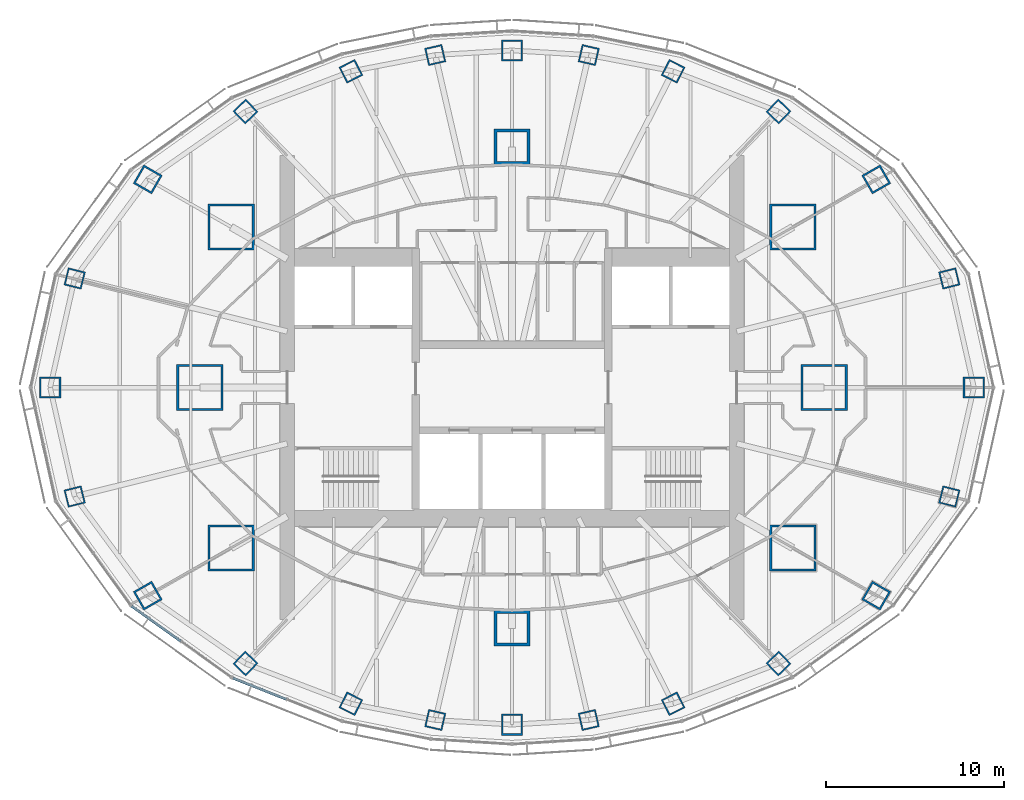
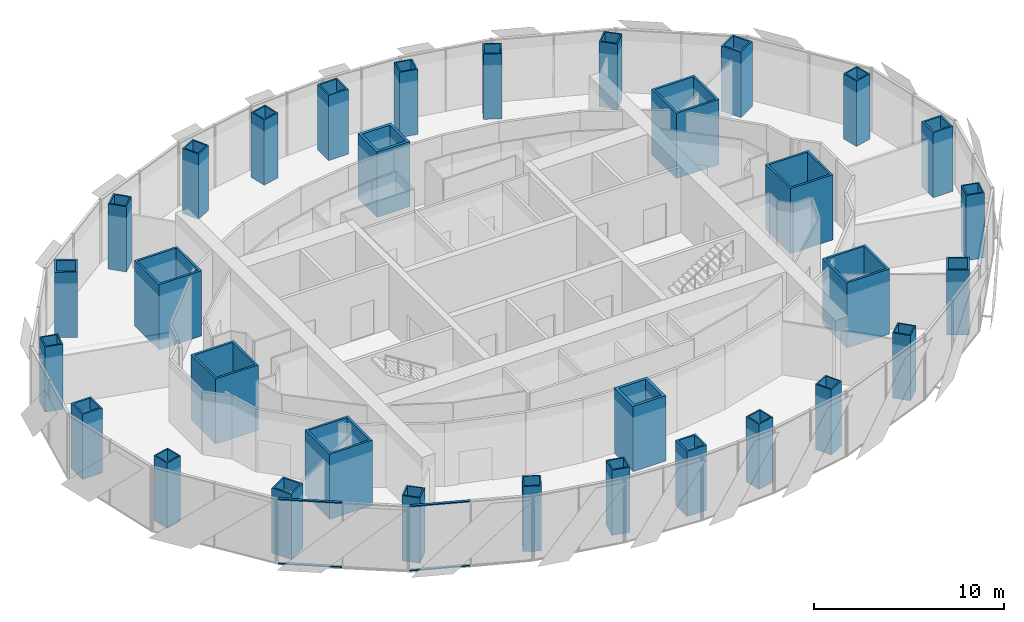
# One storey, part 1 of 17: 32 columns, 4 members, 2 elements without a shape of their own.
"""IFC4 building model written with IfcOpenShell, lengths in metres."""

from ifc_helpers import new_model, si_unit, direction, frame, origin, origin_2d, place, context, subcontext, project, spatial, rectangle, hollow_rectangle, extrude, material, material_profile, profile_set, type_object, element, aggregate, save


model = new_model("IFC4")

# Units and contexts
model_context = context("Model", 3, precision=1e-05, world=origin(), true_north=direction((0.0, 1.0)))
body_context = subcontext(model_context, "Body", "Model", "MODEL_VIEW")
ifc_project = project(units=[si_unit("LENGTHUNIT", "METRE"), si_unit("AREAUNIT", "SQUARE_METRE"), si_unit("VOLUMEUNIT", "CUBIC_METRE"), si_unit("PLANEANGLEUNIT", "RADIAN"), si_unit("MASSUNIT", "GRAM", prefix="KILO")], contexts=[model_context])

# Site, building, storey
site_placement = place(None, origin())
site = spatial("IfcSite", under=ifc_project, at=site_placement, CompositionType="ELEMENT")
building_placement = place(site_placement, origin())
building = spatial("IfcBuilding", under=site, at=building_placement, Name="Lantaw Convention Tower", CompositionType="ELEMENT")
storey_placement = place(building_placement, frame((0.0, 0.0, 211.60009765625)))
storey = spatial("IfcBuildingStorey", under=building, at=storey_placement, Name="L49", CompositionType="ELEMENT", Elevation=211.60009765625)

# Columns
ifc_material_1 = material(Name="Steel EN 10025-3 S460N", Category="steel")
ifc_material_profile_1 = material_profile(ifc_material_1, hollow_rectangle(XDim=2.0, YDim=2.0, WallThickness=0.169921875, at=origin_2d()), Name="BOX2000X170")
ifc_material_2 = material(Name="Concrete C60/75", Category="concrete")
ifc_material_profile_2 = material_profile(ifc_material_2, rectangle(XDim=1.659912109375, YDim=1.659912109375, at=origin_2d()), Name="Concrete fill of BOX2000X170")
ifc_profile_set_1 = profile_set([ifc_material_profile_1, ifc_material_profile_2], Name="Steel EN 10025-3 S460N")
column_type_1 = type_object("IfcColumnType", Name="Column MC BOX2000X170", PredefinedType="COLUMN", material=ifc_profile_set_1)
for number, where, z_axis, x_axis, name in (
    (1, (0.0, 13.5, 0.0), (0.0, 0.0, 1.0), (1.0, 0.0, 0.0), "Mega column M3"),
    (2, (0.0, -13.5, 0.0), (0.0, 0.0, 1.0), (1.0, 0.0, 0.0), "Mega column M7"),
):
    element("IfcColumn", number, at=place(storey_placement, frame(where, z_axis=z_axis, x_axis=x_axis)), inside=storey, type_object=column_type_1, Name=name, PredefinedType="COLUMN", context=body_context, shape_type="SweptSolid", body=[
        extrude(hollow_rectangle(XDim=2.0, YDim=2.0, WallThickness=0.169921875, at=origin_2d()), origin(), (0.0, 0.0, 1.0), 4.199951171875),
    ])
ifc_material_profile_3 = material_profile(ifc_material_1, hollow_rectangle(XDim=2.60009765625, YDim=2.60009765625, WallThickness=0.1298828125, at=origin_2d()), Name="BOX2600X130")
ifc_material_profile_4 = material_profile(ifc_material_2, rectangle(XDim=2.340087890625, YDim=2.340087890625, at=origin_2d()), Name="Concrete fill of BOX2600X130")
ifc_profile_set_2 = profile_set([ifc_material_profile_3, ifc_material_profile_4], Name="Steel EN 10025-3 S460N")
column_type_2 = type_object("IfcColumnType", Name="Column MC BOX2600X130", PredefinedType="COLUMN", material=ifc_profile_set_2)
for number, where, z_axis, x_axis, name in (
    (3, (17.5, 0.0, 0.0), (0.0, 0.0, 1.0), (1.0, 0.0, 0.0), "Mega column M1"),
    (4, (15.75, 9.0, 0.0), (0.0, 0.0, 1.0), (1.0, 0.0, 0.0), "Mega column M2"),
    (5, (-15.75, 9.0, 0.0), (0.0, 0.0, 1.0), (1.0, 0.0, 0.0), "Mega column M4"),
    (6, (-17.5, 0.0, 0.0), (0.0, 0.0, 1.0), (1.0, 0.0, 0.0), "Mega column M5"),
    (7, (-15.75, -9.0, 0.0), (0.0, 0.0, 1.0), (1.0, 0.0, 0.0), "Mega column M6"),
    (8, (15.75, -9.0, 0.0), (0.0, 0.0, 1.0), (1.0, 0.0, 0.0), "Mega column M8"),
):
    element("IfcColumn", number, at=place(storey_placement, frame(where, z_axis=z_axis, x_axis=x_axis)), inside=storey, type_object=column_type_2, Name=name, PredefinedType="COLUMN", context=body_context, shape_type="SweptSolid", body=[
        extrude(hollow_rectangle(XDim=2.60009765625, YDim=2.60009765625, WallThickness=0.1298828125, at=origin_2d()), origin(), (0.0, 0.0, 1.0), 4.199951171875),
    ])
ifc_material_3 = material(Name="Steel ASTM A572 Grade 50", Category="steel")
ifc_material_profile_5 = material_profile(ifc_material_3, hollow_rectangle(XDim=1.0, YDim=1.0, WallThickness=0.080078125, at=origin_2d()), Name="BOX1000X80")
ifc_material_profile_6 = material_profile(ifc_material_2, rectangle(XDim=0.840087890625, YDim=0.840087890625, at=origin_2d()), Name="Concrete fill of BOX1000X80")
ifc_profile_set_3 = profile_set([ifc_material_profile_5, ifc_material_profile_6], Name="Steel ASTM A572 Grade 50")
column_type_3 = type_object("IfcColumnType", Name="Column PC BOX1000X80", PredefinedType="COLUMN", material=ifc_profile_set_3)
for number, where, z_axis, x_axis, name in (
    (9, (24.52197265625, 6.114013671875, 0.0), (0.0, 0.0, 1.0), (0.970295726276, 0.2419218956, 0.0), "Perimeter column P2"),
    (10, (14.9443359375, 15.475341796875, 0.0), (0.0, 0.0, 1.0), (0.694658370459, 0.719339800339, 0.0), "Perimeter column P4"),
    (11, (9.03466796875, 17.7314453125, 0.0), (0.0, 0.0, 1.0), (0.45399049974, 0.891006524188, 0.0), "Perimeter column P5"),
    (12, (4.303955078125, 18.64208984375, 0.0), (0.0, 0.0, 1.0), (0.224951054344, 0.974370064785, 0.0), "Perimeter column P6"),
    (13, (-4.303955078125, 18.64208984375, 0.0), (0.0, 0.0, 1.0), (0.974370064785, 0.224951054344, 0.0), "Perimeter column P8"),
    (14, (-9.03466796875, 17.7314453125, 0.0), (0.0, 0.0, 1.0), (0.891006524188, 0.45399049974, 0.0), "Perimeter column P9"),
    (15, (-14.9443359375, 15.475341796875, 0.0), (0.0, 0.0, 1.0), (0.719339800339, 0.694658370459, 0.0), "Perimeter column P10"),
    (16, (-24.52197265625, 6.114013671875, 0.0), (0.0, 0.0, 1.0), (0.2419218956, 0.970295726276, 0.0), "Perimeter column P12"),
    (17, (-24.52197265625, -6.114013671875, 0.0), (0.0, 0.0, 1.0), (0.970295726276, 0.2419218956, 0.0), "Perimeter column P14"),
    (18, (-14.9443359375, -15.475341796875, 0.0), (0.0, 0.0, 1.0), (0.694658370459, 0.719339800339, 0.0), "Perimeter column P16"),
    (19, (-9.03466796875, -17.7314453125, 0.0), (0.0, 0.0, 1.0), (0.45399049974, 0.891006524188, 0.0), "Perimeter column P17"),
    (20, (-4.303955078125, -18.64208984375, 0.0), (0.0, 0.0, 1.0), (0.224951054344, 0.974370064785, 0.0), "Perimeter column P18"),
    (21, (4.303955078125, -18.64208984375, 0.0), (0.0, 0.0, 1.0), (0.974370064785, 0.224951054344, 0.0), "Perimeter column P20"),
    (22, (9.03466796875, -17.7314453125, 0.0), (0.0, 0.0, 1.0), (0.891006524188, 0.45399049974, 0.0), "Perimeter column P21"),
    (23, (14.9443359375, -15.475341796875, 0.0), (0.0, 0.0, 1.0), (0.719339800339, 0.694658370459, 0.0), "Perimeter column P22"),
    (24, (24.52197265625, -6.114013671875, 0.0), (0.0, 0.0, 1.0), (0.2419218956, 0.970295726276, 0.0), "Perimeter column P24"),
):
    element("IfcColumn", number, at=place(storey_placement, frame(where, z_axis=z_axis, x_axis=x_axis)), inside=storey, type_object=column_type_3, Name=name, PredefinedType="COLUMN", context=body_context, shape_type="SweptSolid", body=[
        extrude(hollow_rectangle(XDim=1.0, YDim=1.0, WallThickness=0.080078125, at=origin_2d()), origin(), (0.0, 0.0, 1.0), 4.199951171875),
    ])
ifc_material_profile_7 = material_profile(ifc_material_1, hollow_rectangle(XDim=1.199951171875, YDim=1.199951171875, WallThickness=0.10009765625, at=origin_2d()), Name="BOX1200X100")
ifc_material_profile_8 = material_profile(ifc_material_2, rectangle(XDim=1.0, YDim=1.0, at=origin_2d()), Name="Concrete fill of BOX1200X100")
ifc_profile_set_4 = profile_set([ifc_material_profile_7, ifc_material_profile_8], Name="Steel EN 10025-3 S460N")
column_type_4 = type_object("IfcColumnType", Name="Column PC BOX1200X100", PredefinedType="COLUMN", material=ifc_profile_set_4)
for number, where, z_axis, x_axis, name in (
    (25, (25.89990234375, 0.0, 0.0), (0.0, 0.0, 1.0), (1.0, 0.0, 0.0), "Perimeter column P1"),
    (26, (20.423095703125, 11.67041015625, 0.0), (0.0, 0.0, 1.0), (0.86824298017, 0.496139221777, 0.0), "Perimeter column P3"),
    (27, (0.0, 18.89990234375, 0.0), (0.0, 0.0, 1.0), (1.0, 0.0, 0.0), "Perimeter column P7"),
    (28, (-20.423095703125, 11.67041015625, 0.0), (0.0, 0.0, 1.0), (0.496139221777, 0.86824298017, 0.0), "Perimeter column P11"),
    (29, (-25.89990234375, 0.0, 0.0), (0.0, 0.0, 1.0), (1.0, 0.0, 0.0), "Perimeter column P13"),
    (30, (-20.423095703125, -11.67041015625, 0.0), (0.0, 0.0, 1.0), (0.86824298017, 0.496139221777, 0.0), "Perimeter column P15"),
    (31, (0.0, -18.89990234375, 0.0), (0.0, 0.0, 1.0), (1.0, 0.0, 0.0), "Perimeter column P19"),
    (32, (20.423095703125, -11.67041015625, 0.0), (0.0, 0.0, 1.0), (0.496139221777, 0.86824298017, 0.0), "Perimeter column P23"),
):
    element("IfcColumn", number, at=place(storey_placement, frame(where, z_axis=z_axis, x_axis=x_axis)), inside=storey, type_object=column_type_4, Name=name, PredefinedType="COLUMN", context=body_context, shape_type="SweptSolid", body=[
        extrude(hollow_rectangle(XDim=1.199951171875, YDim=1.199951171875, WallThickness=0.10009765625, at=origin_2d()), origin(), (0.0, 0.0, 1.0), 4.199951171875),
    ])

# Curtain wall, members
ifc_material_4 = material(Name="Aluminium framed curtain wall", Category="aluminium")
curtain_wall_type = type_object("IfcCurtainWallType", Name="Office curtain wall high rise, pale aluminium", PredefinedType="USERDEFINED", material=ifc_material_4)
curtain_wall_1_placement = place(storey_placement, origin())
curtain_wall_1 = element("IfcCurtainWall", 33, at=curtain_wall_1_placement, inside=storey, type_object=curtain_wall_type, Name="Office curtain wall high rise, pale aluminium L49", ObjectType="UNITISED CURTAIN WALL", PredefinedType="USERDEFINED")
ifc_material_5 = material(Name="Aluminium 6063-T6", Category="aluminium")
ifc_material_profile_9 = material_profile(ifc_material_5, rectangle(XDim=0.14990234375, YDim=0.06494140625, at=origin_2d()), Name="CW-O2 transom 65x150")
ifc_profile_set_5 = profile_set([ifc_material_profile_9], Name="Aluminium 6063-T6")
member_type = type_object("IfcMemberType", Name="CW-O2 transom 65x150", PredefinedType="USERDEFINED", material=ifc_profile_set_5)
member_1_placement = place(storey_placement, frame((-21.3251953125, -12.25390625, -0.11767578125), z_axis=(0.813679882592, -0.581313210468, 0.0), x_axis=(0.581313210468, 0.813679882592, 0.0)))
member_1 = element("IfcMember", 34, at=member_1_placement, type_object=member_type, Name="CW-O2 transom 1.1", ObjectType="TRANSOM", PredefinedType="USERDEFINED", context=body_context, shape_type="SweptSolid", body=[
    extrude(rectangle(XDim=0.14990234375, YDim=0.06494140625, at=origin_2d()), origin(), (0.0, 0.0, 1.0), 3.38623046875),
])
member_2_placement = place(storey_placement, frame((-21.3251953125, -12.25390625, 4.017333984375), z_axis=(0.813679882592, -0.581313210468, 0.0), x_axis=(0.581313210468, 0.813679882592, 0.0)))
member_2 = element("IfcMember", 35, at=member_2_placement, type_object=member_type, Name="CW-O2 transom 1.2", ObjectType="TRANSOM", PredefinedType="USERDEFINED", context=body_context, shape_type="SweptSolid", body=[
    extrude(rectangle(XDim=0.14990234375, YDim=0.06494140625, at=origin_2d()), origin(), (0.0, 0.0, 1.0), 3.38623046875),
])
aggregate(curtain_wall_1, [member_1, member_2])

curtain_wall_2_placement = place(storey_placement, origin())
curtain_wall_2 = element("IfcCurtainWall", 36, at=curtain_wall_2_placement, inside=storey, type_object=curtain_wall_type, Name="Office curtain wall high rise, pale aluminium L49", ObjectType="UNITISED CURTAIN WALL", PredefinedType="USERDEFINED")
member_3_placement = place(storey_placement, frame((-15.648193359375, -16.29052734375, -0.11767578125), z_axis=(0.929740712354, -0.368214893495, 0.0), x_axis=(0.368214893495, 0.929740712354, 0.0)))
member_3 = element("IfcMember", 37, at=member_3_placement, type_object=member_type, Name="CW-O2 transom 1.1", ObjectType="TRANSOM", PredefinedType="USERDEFINED", context=body_context, shape_type="SweptSolid", body=[
    extrude(rectangle(XDim=0.14990234375, YDim=0.06494140625, at=origin_2d()), origin(), (0.0, 0.0, 1.0), 3.22314453125),
])
member_4_placement = place(storey_placement, frame((-15.648193359375, -16.29052734375, 4.017333984375), z_axis=(0.929740712354, -0.368214893495, 0.0), x_axis=(0.368214893495, 0.929740712354, 0.0)))
member_4 = element("IfcMember", 38, at=member_4_placement, type_object=member_type, Name="CW-O2 transom 1.2", ObjectType="TRANSOM", PredefinedType="USERDEFINED", context=body_context, shape_type="SweptSolid", body=[
    extrude(rectangle(XDim=0.14990234375, YDim=0.06494140625, at=origin_2d()), origin(), (0.0, 0.0, 1.0), 3.22314453125),
])
aggregate(curtain_wall_2, [member_3, member_4])

save(model, "model.ifc")
